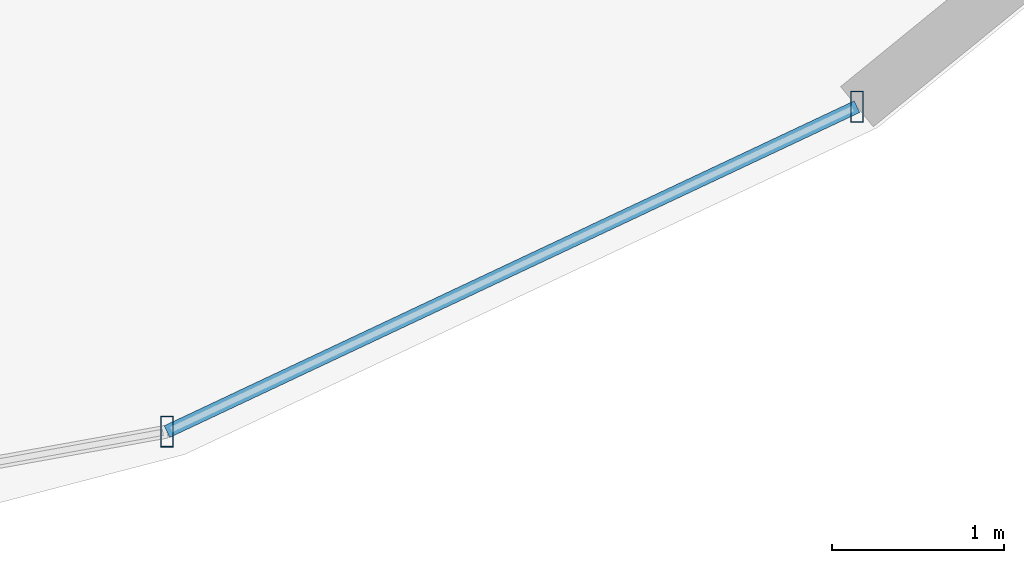
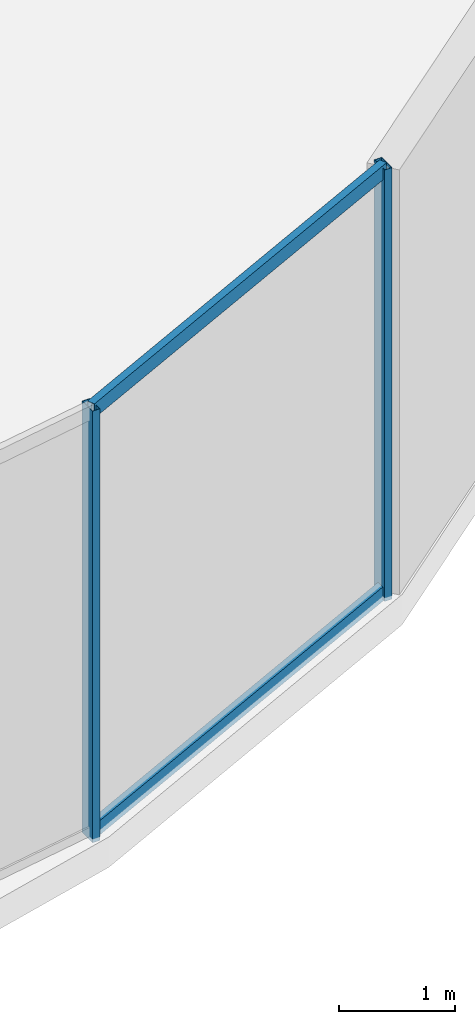
# One storey, part 10 of 26: 4 members, 1 element without a shape of its own.
"""IFC4 building model written with IfcOpenShell, lengths in metres."""

from ifc_helpers import new_model, si_unit, direction, frame, origin, origin_2d, place, context, subcontext, project, spatial, hollow_rectangle, extrude, material, material_profile, profile_set, type_object, element, aggregate, save


model = new_model("IFC4")

# Units and contexts
model_context = context("Model", 3, precision=1e-05, world=origin(), true_north=direction((0.0, 1.0)))
body_context = subcontext(model_context, "Body", "Model", "MODEL_VIEW")
ifc_project = project(units=[si_unit("LENGTHUNIT", "METRE"), si_unit("AREAUNIT", "SQUARE_METRE"), si_unit("VOLUMEUNIT", "CUBIC_METRE"), si_unit("PLANEANGLEUNIT", "RADIAN"), si_unit("MASSUNIT", "GRAM", prefix="KILO")], contexts=[model_context])

# Site, building, storey
site_placement = place(None, origin())
site = spatial("IfcSite", under=ifc_project, at=site_placement, CompositionType="ELEMENT")
building_placement = place(site_placement, origin())
building = spatial("IfcBuilding", under=site, at=building_placement, Name="Vorneva Point Tower", CompositionType="ELEMENT")
storey_placement = place(building_placement, frame((0.0, 0.0, 14.39990234375)))
storey = spatial("IfcBuildingStorey", under=building, at=storey_placement, Name="L03", CompositionType="ELEMENT", Elevation=14.39990234375)

# Curtain wall, members
ifc_material = material(Name="Pale anodised aluminium", Category="aluminium")
curtain_wall_type = type_object("IfcCurtainWallType", Name="CW-POD-SYS", PredefinedType="NOTDEFINED", material=ifc_material)
curtain_wall_placement = place(storey_placement, origin())
curtain_wall = element("IfcCurtainWall", 1, at=curtain_wall_placement, inside=storey, type_object=curtain_wall_type, Name="L03 Unitised Curtain Wall CW-L03-R04", PredefinedType="NOTDEFINED")
ifc_material_profile_1 = material_profile(ifc_material, hollow_rectangle(XDim=0.074951171875, YDim=0.179931640625, WallThickness=0.00390625, at=origin_2d()), Name="AL-MUL 180x75x4")
ifc_profile_set_1 = profile_set([ifc_material_profile_1], Name="Pale anodised aluminium")
member_type_1 = type_object("IfcMemberType", Name="CW-MUL-180", PredefinedType="MULLION", material=ifc_profile_set_1)
member_1_placement = place(storey_placement, frame((61.61865234375, 5.313232421875, -0.039794921875), z_axis=(0.0, 0.0, 1.0), x_axis=(1.0, 0.0, 0.0)))
member_1 = element("IfcMember", 2, at=member_1_placement, type_object=member_type_1, Name="CW-L03-R04 Mullion 03", PredefinedType="MULLION", context=body_context, shape_type="SweptSolid", body=[
    extrude(hollow_rectangle(XDim=0.074951171875, YDim=0.179931640625, WallThickness=0.00390625, at=origin_2d()), origin(), (0.0, 0.0, 1.0), 4.5498046875),
])
member_2_placement = place(storey_placement, frame((65.619873046875, 7.197509765625, -0.039794921875), z_axis=(0.0, 0.0, 1.0), x_axis=(1.0, 0.0, 0.0)))
member_2 = element("IfcMember", 3, at=member_2_placement, type_object=member_type_1, Name="CW-L03-R04 Mullion 04", PredefinedType="MULLION", context=body_context, shape_type="SweptSolid", body=[
    extrude(hollow_rectangle(XDim=0.074951171875, YDim=0.179931640625, WallThickness=0.00390625, at=origin_2d()), origin(), (0.0, 0.0, 1.0), 4.5498046875),
])
ifc_material_profile_2 = material_profile(ifc_material, hollow_rectangle(XDim=0.074951171875, YDim=0.14990234375, WallThickness=0.00390625, at=origin_2d()), Name="AL-TRN 150x75x4")
ifc_profile_set_2 = profile_set([ifc_material_profile_2], Name="Pale anodised aluminium")
member_type_2 = type_object("IfcMemberType", Name="CW-TRN-150", PredefinedType="USERDEFINED", material=ifc_profile_set_2)
member_3_placement = place(storey_placement, frame((61.61865234375, 5.313232421875, 0.02001953125), z_axis=(0.904701070817, 0.426046913452, 0.0), x_axis=(-0.426046913452, 0.904701070817, 0.0)))
member_3 = element("IfcMember", 4, at=member_3_placement, type_object=member_type_2, Name="CW-L03-R04 Transom 03.1", ObjectType="TRANSOM", PredefinedType="USERDEFINED", context=body_context, shape_type="SweptSolid", body=[
    extrude(hollow_rectangle(XDim=0.074951171875, YDim=0.14990234375, WallThickness=0.00390625, at=origin_2d()), origin(), (0.0, 0.0, 1.0), 4.422607421875),
])
member_4_placement = place(storey_placement, frame((61.61865234375, 5.313232421875, 4.460205078125), z_axis=(0.904701070817, 0.426046913452, 0.0), x_axis=(-0.426046913452, 0.904701070817, 0.0)))
member_4 = element("IfcMember", 5, at=member_4_placement, type_object=member_type_2, Name="CW-L03-R04 Transom 03.2", ObjectType="TRANSOM", PredefinedType="USERDEFINED", context=body_context, shape_type="SweptSolid", body=[
    extrude(hollow_rectangle(XDim=0.074951171875, YDim=0.14990234375, WallThickness=0.00390625, at=origin_2d()), origin(), (0.0, 0.0, 1.0), 4.422607421875),
])
aggregate(curtain_wall, [member_1, member_2, member_3, member_4])

save(model, "model.ifc")
